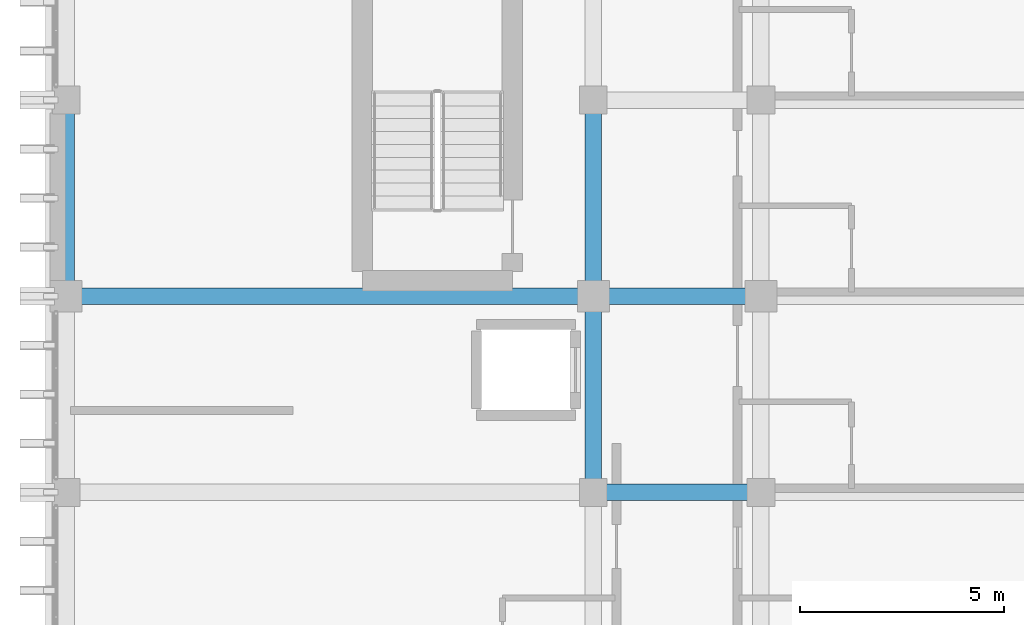
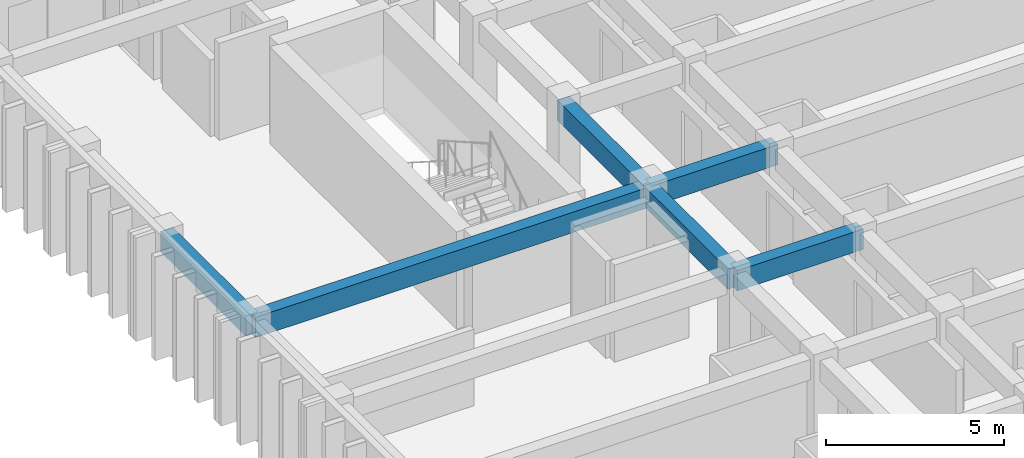
# One storey, part 26 of 68: 6 beams.
"""IFC4 building model written with IfcOpenShell, lengths in metres."""

from ifc_helpers import new_model, si_unit, direction, frame, origin, origin_2d, place, context, subcontext, project, spatial, rectangle, extrude, material, material_profile, profile_set, type_object, element, save


model = new_model("IFC4")

# Units and contexts
model_context = context("Model", 3, precision=1e-05, world=origin(), true_north=direction((0.0, 1.0)))
body_context = subcontext(model_context, "Body", "Model", "MODEL_VIEW")
ifc_project = project(units=[si_unit("LENGTHUNIT", "METRE"), si_unit("AREAUNIT", "SQUARE_METRE"), si_unit("VOLUMEUNIT", "CUBIC_METRE"), si_unit("PLANEANGLEUNIT", "RADIAN"), si_unit("MASSUNIT", "GRAM", prefix="KILO")], contexts=[model_context])

# Site, building, storey
site_placement = place(None, origin())
site = spatial("IfcSite", under=ifc_project, at=site_placement, CompositionType="ELEMENT")
building_placement = place(site_placement, origin())
building = spatial("IfcBuilding", under=site, at=building_placement, Name="Nakhvara Creek Congress Hotel", CompositionType="ELEMENT")
storey_placement = place(building_placement, frame((0.0, 0.0, 24.60009765625)))
storey = spatial("IfcBuildingStorey", under=building, at=storey_placement, Name="L05", CompositionType="ELEMENT", Elevation=24.60009765625)

# Beams
ifc_material = material(Name="Concrete C40/50", Category="concrete")
ifc_material_profile = material_profile(ifc_material, rectangle(XDim=0.39990234375, YDim=0.699951171875, at=origin_2d()), Name="RC-BM 400x700", Category="LoadBearing")
ifc_profile_set = profile_set([ifc_material_profile], Name="Concrete C40/50")
beam_type = type_object("IfcBeamType", Name="BM-RC-400X700", PredefinedType="BEAM", material=ifc_profile_set)
beam_1_placement = place(storey_placement, frame((149.449951171875, 76.800048828125, 2.989990234375), z_axis=(1.0, 0.0, 0.0), x_axis=(0.0, 1.0, 0.0)))
element("IfcBeam", 1, at=beam_1_placement, inside=storey, type_object=beam_type, Name="Beam B05-L05-2072", PredefinedType="BEAM", context=body_context, shape_type="SweptSolid", body=[
    extrude(rectangle(XDim=0.39990234375, YDim=0.699951171875, at=origin_2d()), origin(), (0.0, 0.0, 1.0), 12.900146484375),
])
beam_2_placement = place(storey_placement, frame((149.449951171875, 76.800048828125, 2.989990234375), z_axis=(0.0, 1.0, 0.0), x_axis=(-1.0, 0.0, 0.0)))
element("IfcBeam", 2, at=beam_2_placement, inside=storey, type_object=beam_type, Name="Beam B05-L05-2074", PredefinedType="BEAM", context=body_context, shape_type="SweptSolid", body=[
    extrude(rectangle(XDim=0.39990234375, YDim=0.699951171875, at=origin_2d()), origin(), (0.0, 0.0, 1.0), 4.800048828125),
])
beam_3_placement = place(storey_placement, frame((162.35009765625, 76.800048828125, 2.989990234375), z_axis=(1.0, 0.0, 0.0), x_axis=(0.0, 1.0, 0.0)))
element("IfcBeam", 3, at=beam_3_placement, inside=storey, type_object=beam_type, Name="Beam B05-L05-2101", PredefinedType="BEAM", context=body_context, shape_type="SweptSolid", body=[
    extrude(rectangle(XDim=0.39990234375, YDim=0.699951171875, at=origin_2d()), origin(), (0.0, 0.0, 1.0), 4.099853515625),
])
for number, where, z_axis, x_axis, name in (
    (4, (162.35009765625, 72.0, 2.989990234375), (0.0, 1.0, 0.0), (-1.0, 0.0, 0.0), "Beam B05-L05-2102"),
    (5, (162.35009765625, 76.800048828125, 2.989990234375), (0.0, 1.0, 0.0), (-1.0, 0.0, 0.0), "Beam B05-L05-2103"),
):
    element("IfcBeam", number, at=place(storey_placement, frame(where, z_axis=z_axis, x_axis=x_axis)), inside=storey, type_object=beam_type, Name=name, PredefinedType="BEAM", context=body_context, shape_type="SweptSolid", body=[
        extrude(rectangle(XDim=0.39990234375, YDim=0.699951171875, at=origin_2d()), origin(), (0.0, 0.0, 1.0), 4.800048828125),
    ])
beam_4_placement = place(storey_placement, frame((162.35009765625, 72.0, 2.989990234375), z_axis=(1.0, 0.0, 0.0), x_axis=(0.0, 1.0, 0.0)))
element("IfcBeam", 6, at=beam_4_placement, inside=storey, type_object=beam_type, Name="Beam B05-L05-2179", PredefinedType="BEAM", context=body_context, shape_type="SweptSolid", body=[
    extrude(rectangle(XDim=0.39990234375, YDim=0.699951171875, at=origin_2d()), origin(), (0.0, 0.0, 1.0), 4.099853515625),
])

save(model, "model.ifc")
